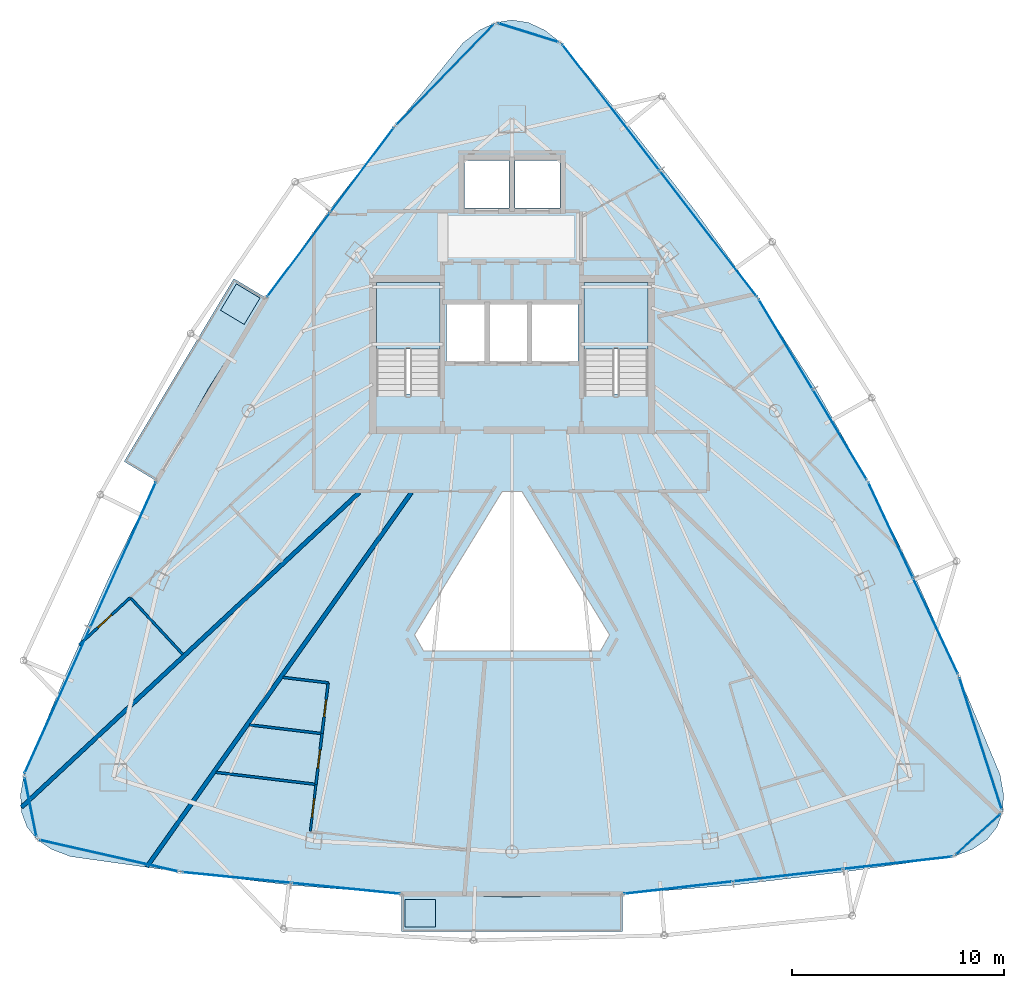
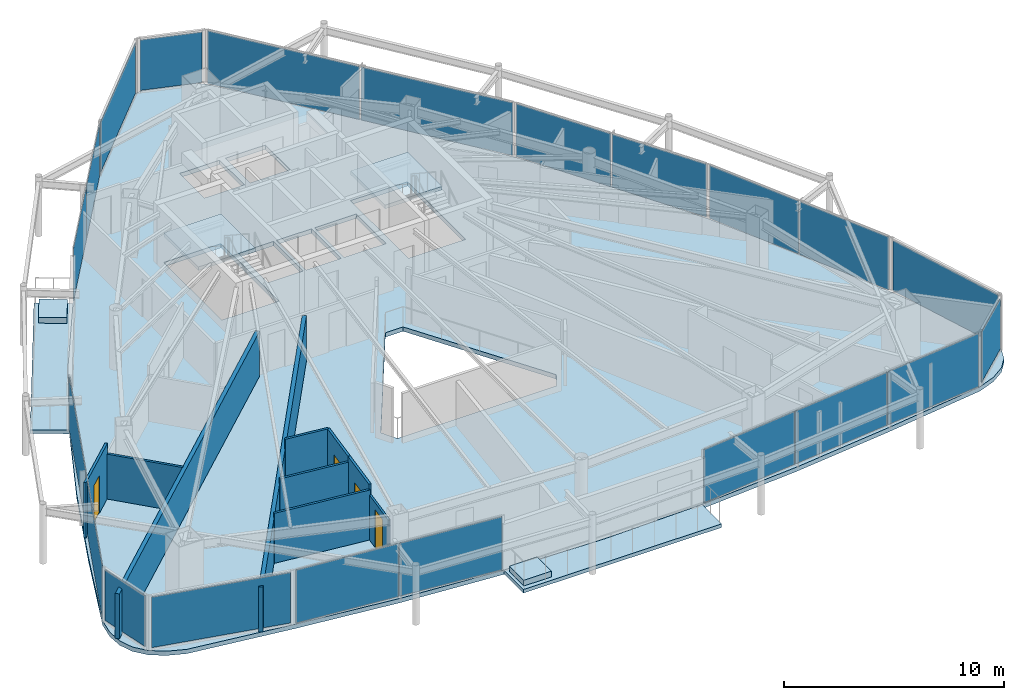
# One storey, part 26 of 32: 21 plates, 10 walls, 7 slabs, 4 doors, 4 openings, 15 elements without a shape of their own.
"""IFC4 building model written with IfcOpenShell, lengths in metres."""

from ifc_helpers import new_model, si_unit, direction, frame, frame_2d, origin, origin_2d, place, context, subcontext, project, spatial, polyline, rectangle, outline, extrude, material, layer, layer_set, type_object, element, fill, aggregate, save


model = new_model("IFC4")

# Units and contexts
model_context = context("Model", 3, precision=1e-05, world=origin(), true_north=direction((0.0, 1.0)))
body_context = subcontext(model_context, "Body", "Model", "MODEL_VIEW")
ifc_project = project(units=[si_unit("LENGTHUNIT", "METRE"), si_unit("AREAUNIT", "SQUARE_METRE"), si_unit("VOLUMEUNIT", "CUBIC_METRE"), si_unit("PLANEANGLEUNIT", "RADIAN"), si_unit("MASSUNIT", "GRAM", prefix="KILO")], contexts=[model_context])

# Site, building, storey
site_placement = place(None, origin())
site = spatial("IfcSite", under=ifc_project, at=site_placement, CompositionType="ELEMENT")
building_placement = place(site_placement, origin())
building = spatial("IfcBuilding", under=site, at=building_placement, Name="Orvanel Arch Residences", CompositionType="ELEMENT")
storey_placement = place(building_placement, frame((0.0, 0.0, 219.5)))
storey = spatial("IfcBuildingStorey", under=building, at=storey_placement, Name="L62", CompositionType="ELEMENT", Elevation=219.5)

# Curtain wall, plates
ifc_material_1 = material(Name="Bronze-anodised aluminium AA6063-T6", Category="aluminium")
ifc_layer_1 = layer(ifc_material_1, 0.175048828125)
ifc_layer_set_1 = layer_set([ifc_layer_1], Name="Bronze-anodised aluminium AA6063-T6")
curtain_wall_type_1 = type_object("IfcCurtainWallType", Name="CW4-HI-SYS", PredefinedType="NOTDEFINED", material=ifc_layer_set_1)
curtain_wall_1_placement = place(storey_placement, origin())
curtain_wall_1 = element("IfcCurtainWall", 1, at=curtain_wall_1_placement, inside=storey, type_object=curtain_wall_type_1, Name="L62 CW4-HI-SYS Unitised Curtain Wall", PredefinedType="NOTDEFINED")
ifc_material_2 = material(Name="Double-glazed solar-control low-E safety glass", Category="glass")
ifc_layer_2 = layer(ifc_material_2, 0.028076171875)
ifc_layer_set_2 = layer_set([ifc_layer_2], Name="Double-glazed solar-control low-E safety glass")
plate_type_1 = type_object("IfcPlateType", Name="PNL-GLZ-28", PredefinedType="CURTAIN_PANEL", material=ifc_layer_set_2)
plate_1_placement = place(storey_placement, frame((25.9365234375, 39.006103515625, 0.06005859375), z_axis=(0.0, 0.0, 1.0), x_axis=(-0.599364196559, -0.800476458044, 0.0)))
plate_1 = element("IfcPlate", 2, at=plate_1_placement, type_object=plate_type_1, Name="CW-S4 panel 1.1", PredefinedType="CURTAIN_PANEL", context=body_context, shape_type="SweptSolid", body=[
    extrude(rectangle(XDim=4.93701171875, YDim=0.028076171875, at=origin_2d()), origin(), (0.0, 0.0, 1.0), 2.93994140625),
])
plate_2_placement = place(storey_placement, frame((22.9384765625, 35.001953125, 0.06005859375), z_axis=(0.0, 0.0, 1.0), x_axis=(-0.599364196559, -0.800476458044, 0.0)))
plate_2 = element("IfcPlate", 3, at=plate_2_placement, type_object=plate_type_1, Name="CW-S4 panel 2.1", PredefinedType="CURTAIN_PANEL", context=body_context, shape_type="SweptSolid", body=[
    extrude(rectangle(XDim=4.93701171875, YDim=0.028076171875, at=origin_2d()), origin(), (0.0, 0.0, 1.0), 2.93994140625),
])
aggregate(curtain_wall_1, [plate_1, plate_2])

curtain_wall_2_placement = place(storey_placement, origin())
curtain_wall_2 = element("IfcCurtainWall", 4, at=curtain_wall_2_placement, inside=storey, type_object=curtain_wall_type_1, Name="L62 CW4-HI-SYS Unitised Curtain Wall", PredefinedType="NOTDEFINED")
plate_3_placement = place(storey_placement, frame((14.66259765625, 20.849365234375, 0.06005859375), z_axis=(0.0, 0.0, 1.0), x_axis=(-0.411344383709, -0.911480004164, 0.0)))
plate_3 = element("IfcPlate", 5, at=plate_3_placement, type_object=plate_type_1, Name="CW-S4 panel 1.1", PredefinedType="CURTAIN_PANEL", context=body_context, shape_type="SweptSolid", body=[
    extrude(rectangle(XDim=7.4765625, YDim=0.028076171875, at=origin_2d()), origin(), (0.0, 0.0, 1.0), 2.93994140625),
])
plate_4_placement = place(storey_placement, frame((11.560546875, 13.9755859375, 0.06005859375), z_axis=(0.0, 0.0, 1.0), x_axis=(-0.411344383709, -0.911480004164, 0.0)))
plate_4 = element("IfcPlate", 6, at=plate_4_placement, type_object=plate_type_1, Name="CW-S4 panel 2.1", PredefinedType="CURTAIN_PANEL", context=body_context, shape_type="SweptSolid", body=[
    extrude(rectangle(XDim=7.4765625, YDim=0.028076171875, at=origin_2d()), origin(), (0.0, 0.0, 1.0), 2.93994140625),
])
aggregate(curtain_wall_2, [plate_3, plate_4])

curtain_wall_3_placement = place(storey_placement, origin())
curtain_wall_3 = element("IfcCurtainWall", 7, at=curtain_wall_3_placement, inside=storey, type_object=curtain_wall_type_1, Name="L62 CW4-HI-SYS Unitised Curtain Wall", PredefinedType="NOTDEFINED")
plate_5_placement = place(storey_placement, frame((20.0126953125, 5.6318359375, 0.06005859375), z_axis=(0.0, 0.0, 1.0), x_axis=(0.995103474765, -0.098838628636, 0.0)))
plate_5 = element("IfcPlate", 8, at=plate_5_placement, type_object=plate_type_1, Name="CW-S4 panel 1.1", PredefinedType="CURTAIN_PANEL", context=body_context, shape_type="SweptSolid", body=[
    extrude(rectangle(XDim=5.113037109375, YDim=0.028076171875, at=origin_2d()), origin(), (0.0, 0.0, 1.0), 2.93994140625),
])
plate_6_placement = place(storey_placement, frame((25.165283203125, 5.1201171875, 0.06005859375), z_axis=(0.0, 0.0, 1.0), x_axis=(0.995103474765, -0.098838628636, 0.0)))
plate_6 = element("IfcPlate", 9, at=plate_6_placement, type_object=plate_type_1, Name="CW-S4 panel 2.1", PredefinedType="CURTAIN_PANEL", context=body_context, shape_type="SweptSolid", body=[
    extrude(rectangle(XDim=5.113037109375, YDim=0.028076171875, at=origin_2d()), origin(), (0.0, 0.0, 1.0), 2.93994140625),
])
aggregate(curtain_wall_3, [plate_5, plate_6])

curtain_wall_4_placement = place(storey_placement, origin())
curtain_wall_4 = element("IfcCurtainWall", 10, at=curtain_wall_4_placement, inside=storey, type_object=curtain_wall_type_1, Name="L62 CW4-HI-SYS Unitised Curtain Wall", PredefinedType="NOTDEFINED")
plate_7_placement = place(storey_placement, frame((40.838134765625, 5.15625, 0.06005859375), z_axis=(0.0, 0.0, 1.0), x_axis=(0.993676625705, 0.112279844711, 0.0)))
plate_7 = element("IfcPlate", 11, at=plate_7_placement, type_object=plate_type_1, Name="CW-S4 panel 1.1", PredefinedType="CURTAIN_PANEL", context=body_context, shape_type="SweptSolid", body=[
    extrude(rectangle(XDim=5.12744140625, YDim=0.028076171875, at=origin_2d()), origin(), (0.0, 0.0, 1.0), 2.93994140625),
])
plate_8_placement = place(storey_placement, frame((46.013916015625, 5.740966796875, 0.06005859375), z_axis=(0.0, 0.0, 1.0), x_axis=(0.993676625705, 0.112279844711, 0.0)))
plate_8 = element("IfcPlate", 12, at=plate_8_placement, type_object=plate_type_1, Name="CW-S4 panel 2.1", PredefinedType="CURTAIN_PANEL", context=body_context, shape_type="SweptSolid", body=[
    extrude(rectangle(XDim=5.16015625, YDim=0.028076171875, at=origin_2d()), origin(), (0.0, 0.0, 1.0), 2.93994140625),
])
plate_9_placement = place(storey_placement, frame((51.18994140625, 6.325927734375, 0.06005859375), z_axis=(0.0, 0.0, 1.0), x_axis=(0.993676625705, 0.112279844711, 0.0)))
plate_9 = element("IfcPlate", 13, at=plate_9_placement, type_object=plate_type_1, Name="CW-S4 panel 3.1", PredefinedType="CURTAIN_PANEL", context=body_context, shape_type="SweptSolid", body=[
    extrude(rectangle(XDim=5.12744140625, YDim=0.028076171875, at=origin_2d()), origin(), (0.0, 0.0, 1.0), 2.93994140625),
])
aggregate(curtain_wall_4, [plate_7, plate_8, plate_9])

curtain_wall_5_placement = place(storey_placement, origin())
curtain_wall_5 = element("IfcCurtainWall", 14, at=curtain_wall_5_placement, inside=storey, type_object=curtain_wall_type_1, Name="L62 CW4-HI-SYS Unitised Curtain Wall", PredefinedType="NOTDEFINED")
plate_10_placement = place(storey_placement, frame((52.96923828125, 17.49072265625, 0.06005859375), z_axis=(0.0, 0.0, 1.0), x_axis=(-0.424108203626, 0.905611523567, 0.0)))
plate_10 = element("IfcPlate", 15, at=plate_10_placement, type_object=plate_type_1, Name="CW-S4 panel 1.1", PredefinedType="CURTAIN_PANEL", context=body_context, shape_type="SweptSolid", body=[
    extrude(rectangle(XDim=4.937744140625, YDim=0.028076171875, at=origin_2d()), origin(), (0.0, 0.0, 1.0), 2.93994140625),
])
plate_11_placement = place(storey_placement, frame((50.84765625, 22.021240234375, 0.06005859375), z_axis=(0.0, 0.0, 1.0), x_axis=(-0.424108203626, 0.905611523567, 0.0)))
plate_11 = element("IfcPlate", 16, at=plate_11_placement, type_object=plate_type_1, Name="CW-S4 panel 2.1", PredefinedType="CURTAIN_PANEL", context=body_context, shape_type="SweptSolid", body=[
    extrude(rectangle(XDim=4.937744140625, YDim=0.028076171875, at=origin_2d()), origin(), (0.0, 0.0, 1.0), 2.93994140625),
])
aggregate(curtain_wall_5, [plate_10, plate_11])

curtain_wall_6_placement = place(storey_placement, origin())
curtain_wall_6 = element("IfcCurtainWall", 17, at=curtain_wall_6_placement, inside=storey, type_object=curtain_wall_type_1, Name="L62 CW4-HI-SYS Unitised Curtain Wall", PredefinedType="NOTDEFINED")
plate_12_placement = place(storey_placement, frame((48.45849609375, 26.512451171875, 0.06005859375), z_axis=(0.0, 0.0, 1.0), x_axis=(-0.514422349359, 0.857536965081, 0.0)))
plate_12 = element("IfcPlate", 18, at=plate_12_placement, type_object=plate_type_1, Name="CW-S4 panel 1.1", PredefinedType="CURTAIN_PANEL", context=body_context, shape_type="SweptSolid", body=[
    extrude(rectangle(XDim=4.9111328125, YDim=0.028076171875, at=origin_2d()), origin(), (0.0, 0.0, 1.0), 2.93994140625),
])
plate_13_placement = place(storey_placement, frame((45.898681640625, 30.779541015625, 0.06005859375), z_axis=(0.0, 0.0, 1.0), x_axis=(-0.514422349359, 0.857536965081, 0.0)))
plate_13 = element("IfcPlate", 19, at=plate_13_placement, type_object=plate_type_1, Name="CW-S4 panel 2.1", PredefinedType="CURTAIN_PANEL", context=body_context, shape_type="SweptSolid", body=[
    extrude(rectangle(XDim=4.9111328125, YDim=0.028076171875, at=origin_2d()), origin(), (0.0, 0.0, 1.0), 2.93994140625),
])
aggregate(curtain_wall_6, [plate_12, plate_13])

curtain_wall_7_placement = place(storey_placement, origin())
curtain_wall_7 = element("IfcCurtainWall", 20, at=curtain_wall_7_placement, inside=storey, type_object=curtain_wall_type_1, Name="L62 CW4-HI-SYS Unitised Curtain Wall", PredefinedType="NOTDEFINED")
plate_14_placement = place(storey_placement, frame((42.258056640625, 35.98583984375, 0.06005859375), z_axis=(0.0, 0.0, 1.0), x_axis=(-0.610552723467, 0.791975613177, 0.0)))
plate_14 = element("IfcPlate", 21, at=plate_14_placement, type_object=plate_type_1, Name="CW-S4 panel 1.1", PredefinedType="CURTAIN_PANEL", context=body_context, shape_type="SweptSolid", body=[
    extrude(rectangle(XDim=7.47607421875, YDim=0.028076171875, at=origin_2d()), origin(), (0.0, 0.0, 1.0), 2.93994140625),
])
plate_15_placement = place(storey_placement, frame((37.65380859375, 41.958251953125, 0.06005859375), z_axis=(0.0, 0.0, 1.0), x_axis=(-0.610552723467, 0.791975613177, 0.0)))
plate_15 = element("IfcPlate", 22, at=plate_15_placement, type_object=plate_type_1, Name="CW-S4 panel 2.1", PredefinedType="CURTAIN_PANEL", context=body_context, shape_type="SweptSolid", body=[
    extrude(rectangle(XDim=7.47607421875, YDim=0.028076171875, at=origin_2d()), origin(), (0.0, 0.0, 1.0), 2.93994140625),
])
aggregate(curtain_wall_7, [plate_14, plate_15])

# Curtain wall, plate
ifc_layer_3 = layer(ifc_material_1, 0.18994140625)
ifc_layer_set_3 = layer_set([ifc_layer_3], Name="Bronze-anodised aluminium AA6063-T6")
curtain_wall_type_2 = type_object("IfcCurtainWallType", Name="CW5-CRN-SYS", PredefinedType="NOTDEFINED", material=ifc_layer_set_3)
curtain_wall_8_placement = place(storey_placement, origin())
curtain_wall_8 = element("IfcCurtainWall", 23, at=curtain_wall_8_placement, inside=storey, type_object=curtain_wall_type_2, Name="L62 CW5-CRN-SYS Unitised Curtain Wall", PredefinedType="NOTDEFINED")
ifc_layer_4 = layer(ifc_material_2, 0.031982421875)
ifc_layer_set_4 = layer_set([ifc_layer_4], Name="Double-glazed solar-control low-E safety glass")
plate_type_2 = type_object("IfcPlateType", Name="PNL-GLZ-32", PredefinedType="CURTAIN_PANEL", material=ifc_layer_set_4)
plate_16_placement = place(storey_placement, frame((33.7734375, 45.467529296875, 0.1298828125), z_axis=(0.0, 0.0, 1.0), x_axis=(-0.954807511181, 0.297224858639, 0.0)))
plate_16 = element("IfcPlate", 24, at=plate_16_placement, type_object=plate_type_2, Name="CW-S5 panel 1.1", PredefinedType="CURTAIN_PANEL", context=body_context, shape_type="SweptSolid", body=[
    extrude(rectangle(XDim=2.899658203125, YDim=0.031982421875, at=origin_2d()), origin(), (0.0, 0.0, 1.0), 2.800048828125),
])
aggregate(curtain_wall_8, [plate_16])

curtain_wall_9_placement = place(storey_placement, origin())
curtain_wall_9 = element("IfcCurtainWall", 25, at=curtain_wall_9_placement, inside=storey, type_object=curtain_wall_type_2, Name="L62 CW5-CRN-SYS Unitised Curtain Wall", PredefinedType="NOTDEFINED")
plate_17_placement = place(storey_placement, frame((29.846923828125, 43.49951171875, 0.1298828125), z_axis=(0.0, 0.0, 1.0), x_axis=(-0.696798671558, -0.717266764401, 0.0)))
plate_17 = element("IfcPlate", 26, at=plate_17_placement, type_object=plate_type_2, Name="CW-S5 panel 1.1", PredefinedType="CURTAIN_PANEL", context=body_context, shape_type="SweptSolid", body=[
    extrude(rectangle(XDim=6.490966796875, YDim=0.031982421875, at=origin_2d()), origin(), (0.0, 0.0, 1.0), 2.800048828125),
])
aggregate(curtain_wall_9, [plate_17])

curtain_wall_10_placement = place(storey_placement, origin())
curtain_wall_10 = element("IfcCurtainWall", 27, at=curtain_wall_10_placement, inside=storey, type_object=curtain_wall_type_2, Name="L62 CW5-CRN-SYS Unitised Curtain Wall", PredefinedType="NOTDEFINED")
plate_18_placement = place(storey_placement, frame((10.29296875, 8.9609375, 0.1298828125), z_axis=(0.0, 0.0, 1.0), x_axis=(0.195491601364, -0.980705375633, 0.0)))
plate_18 = element("IfcPlate", 28, at=plate_18_placement, type_object=plate_type_2, Name="CW-S5 panel 1.1", PredefinedType="CURTAIN_PANEL", context=body_context, shape_type="SweptSolid", body=[
    extrude(rectangle(XDim=2.779296875, YDim=0.031982421875, at=origin_2d()), origin(), (0.0, 0.0, 1.0), 2.800048828125),
])
aggregate(curtain_wall_10, [plate_18])

curtain_wall_11_placement = place(storey_placement, origin())
curtain_wall_11 = element("IfcCurtainWall", 29, at=curtain_wall_11_placement, inside=storey, type_object=curtain_wall_type_2, Name="L62 CW5-CRN-SYS Unitised Curtain Wall", PredefinedType="NOTDEFINED")
plate_19_placement = place(storey_placement, frame((13.990966796875, 6.662109375, 0.1298828125), z_axis=(0.0, 0.0, 1.0), x_axis=(0.975232163549, -0.221183695553, 0.0)))
plate_19 = element("IfcPlate", 30, at=plate_19_placement, type_object=plate_type_2, Name="CW-S5 panel 1.1", PredefinedType="CURTAIN_PANEL", context=body_context, shape_type="SweptSolid", body=[
    extrude(rectangle(XDim=6.617431640625, YDim=0.031982421875, at=origin_2d()), origin(), (0.0, 0.0, 1.0), 2.800048828125),
])
aggregate(curtain_wall_11, [plate_19])

curtain_wall_12_placement = place(storey_placement, origin())
curtain_wall_12 = element("IfcCurtainWall", 31, at=curtain_wall_12_placement, inside=storey, type_object=curtain_wall_type_2, Name="L62 CW5-CRN-SYS Unitised Curtain Wall", PredefinedType="NOTDEFINED")
plate_20_placement = place(storey_placement, frame((54.97705078125, 7.67138671875, 0.1298828125), z_axis=(0.0, 0.0, 1.0), x_axis=(0.740219127016, 0.672365707037, 0.0)))
plate_20 = element("IfcPlate", 32, at=plate_20_placement, type_object=plate_type_2, Name="CW-S5 panel 1.1", PredefinedType="CURTAIN_PANEL", context=body_context, shape_type="SweptSolid", body=[
    extrude(rectangle(XDim=2.7802734375, YDim=0.031982421875, at=origin_2d()), origin(), (0.0, 0.0, 1.0), 2.800048828125),
])
aggregate(curtain_wall_12, [plate_20])

curtain_wall_13_placement = place(storey_placement, origin())
curtain_wall_13 = element("IfcCurtainWall", 33, at=curtain_wall_13_placement, inside=storey, type_object=curtain_wall_type_2, Name="L62 CW5-CRN-SYS Unitised Curtain Wall", PredefinedType="NOTDEFINED")
plate_21_placement = place(storey_placement, frame((55.092041015625, 11.948974609375, 0.1298828125), z_axis=(0.0, 0.0, 1.0), x_axis=(-0.306604222357, 0.951837092592, 0.0)))
plate_21 = element("IfcPlate", 34, at=plate_21_placement, type_object=plate_type_2, Name="CW-S5 panel 1.1", PredefinedType="CURTAIN_PANEL", context=body_context, shape_type="SweptSolid", body=[
    extrude(rectangle(XDim=6.44482421875, YDim=0.031982421875, at=origin_2d()), origin(), (0.0, 0.0, 1.0), 2.800048828125),
])
aggregate(curtain_wall_13, [plate_21])

# Slabs
ifc_material_3 = material(Name="Concrete N40 (40 MPa)", Category="concrete")
ifc_layer_5 = layer(ifc_material_3, 0.199951171875)
ifc_layer_set_5 = layer_set([ifc_layer_5], Name="Concrete N40 (40 MPa)")
slab_type_1 = type_object("IfcSlabType", Name="SLB-BAL-200", PredefinedType="FLOOR", material=ifc_layer_set_5)
slab_1_placement = place(storey_placement, frame((0.0, 0.0, -0.199951171875)))
element("IfcSlab", 35, at=slab_1_placement, inside=storey, type_object=slab_type_1, Name="L62 Cantilevered Balcony Slab Face 1", PredefinedType="FLOOR", context=body_context, shape_type="SweptSolid", body=[
    extrude(outline(polyline([(19.882080078125, 33.873046875), (14.708984375, 25.2490234375), (16.235107421875, 24.333984375), (18.697021484375, 28.720947265625), (21.407958984375, 32.9580078125), (19.882080078125, 33.873046875)])), origin(), (0.0, 0.0, 1.0), 0.199951171875),
])
slab_2_placement = place(storey_placement, frame((0.0, 0.0, -0.199951171875)))
element("IfcSlab", 36, at=slab_2_placement, inside=storey, type_object=slab_type_1, Name="L62 Cantilevered Balcony Slab Face 2", PredefinedType="FLOOR", context=body_context, shape_type="SweptSolid", body=[
    extrude(outline(polyline([(27.7939453125, 3.0791015625), (38.2060546875, 3.0791015625), (38.2060546875, 4.85888671875), (33.0, 4.714111328125), (27.7939453125, 4.85888671875), (27.7939453125, 3.0791015625)])), origin(), (0.0, 0.0, 1.0), 0.199951171875),
])

# Stair, slab
ifc_material_4 = material(Name="Precast concrete N50 (50 MPa)", Category="concrete")
stair_type = type_object("IfcStairType", Name="STR-DOG-184", PredefinedType="USERDEFINED", material=ifc_material_4)
stair_1_placement = place(storey_placement, origin())
stair_1 = element("IfcStair", 37, at=stair_1_placement, inside=storey, type_object=stair_type, Name="L62 Fire-Isolated Core Exit Stair 1", ObjectType="TWO_RETURN_STAIR", PredefinedType="USERDEFINED")
ifc_layer_6 = layer(ifc_material_3, 0.199951171875)
ifc_layer_set_6 = layer_set([ifc_layer_6], Name="Concrete N40 (40 MPa)")
slab_type_2 = type_object("IfcSlabType", Name="SLB-LND-200", PredefinedType="LANDING", material=ifc_layer_set_6)
slab_3_placement = place(storey_placement, frame((0.0, 0.0, 1.449951171875)))
slab_3 = element("IfcSlab", 38, at=slab_3_placement, type_object=slab_type_2, Name="ST-1 landing 1", PredefinedType="LANDING", context=body_context, shape_type="SweptSolid", body=[
    extrude(outline(polyline([(29.60009765625, 30.56005859375), (29.60009765625, 33.699951171875), (26.60009765625, 33.699951171875), (26.60009765625, 30.56005859375), (29.60009765625, 30.56005859375)])), origin(), (0.0, 0.0, 1.0), 0.199951171875),
])
aggregate(stair_1, [slab_3])

stair_2_placement = place(storey_placement, origin())
stair_2 = element("IfcStair", 39, at=stair_2_placement, inside=storey, type_object=stair_type, Name="L62 Fire-Isolated Core Exit Stair 2", ObjectType="TWO_RETURN_STAIR", PredefinedType="USERDEFINED")
slab_4_placement = place(storey_placement, frame((0.0, 0.0, 1.449951171875)))
slab_4 = element("IfcSlab", 40, at=slab_4_placement, type_object=slab_type_2, Name="ST-2 landing 1", PredefinedType="LANDING", context=body_context, shape_type="SweptSolid", body=[
    extrude(outline(polyline([(39.39990234375, 30.56005859375), (39.39990234375, 33.699951171875), (36.39990234375, 33.699951171875), (36.39990234375, 30.56005859375), (39.39990234375, 30.56005859375)])), origin(), (0.0, 0.0, 1.0), 0.199951171875),
])
aggregate(stair_2, [slab_4])

# Slabs
ifc_material_5 = material(Name="Structural architectural precast concrete N40 (40 MPa) planter", Category="concrete")
ifc_layer_7 = layer(ifc_material_5, 0.320068359375)
ifc_layer_set_7 = layer_set([ifc_layer_7], Name="Structural architectural precast concrete N40 (40 MPa) planter")
slab_type_3 = type_object("IfcSlabType", Name="SLB-PLN-320", PredefinedType="USERDEFINED", material=ifc_layer_set_7)
slab_5_placement = place(storey_placement, origin())
element("IfcSlab", 41, at=slab_5_placement, inside=storey, type_object=slab_type_3, Name="L62 Balcony TREE PLANTER Face 1", ObjectType="PLANTER", PredefinedType="USERDEFINED", context=body_context, shape_type="SweptSolid", body=[
    extrude(outline(polyline([(20.001953125, 33.6259765625), (19.256103515625, 32.383056640625), (20.37109375, 31.714111328125), (21.116943359375, 32.9580078125), (20.001953125, 33.6259765625)])), origin(), (0.0, 0.0, 1.0), 0.320068359375),
])
slab_6_placement = place(storey_placement, origin())
element("IfcSlab", 42, at=slab_6_placement, inside=storey, type_object=slab_type_3, Name="L62 Balcony TREE PLANTER Face 2", ObjectType="PLANTER", PredefinedType="USERDEFINED", context=body_context, shape_type="SweptSolid", body=[
    extrude(outline(polyline([(27.944091796875, 3.30908203125), (29.39501953125, 3.30908203125), (29.39501953125, 4.60888671875), (27.944091796875, 4.60888671875), (27.944091796875, 3.30908203125)])), origin(), (0.0, 0.0, 1.0), 0.320068359375),
])
ifc_layer_8 = layer(ifc_material_3, 0.239990234375)
ifc_layer_set_8 = layer_set([ifc_layer_8], Name="Concrete N40 (40 MPa)")
slab_type_4 = type_object("IfcSlabType", Name="SLB-TYP-240", PredefinedType="FLOOR", material=ifc_layer_set_8)
slab_7_placement = place(storey_placement, frame((0.0, 0.0, -0.239990234375)))
element("IfcSlab", 43, at=slab_7_placement, inside=storey, type_object=slab_type_4, Name="L62 Tower Floor Slab", PredefinedType="FLOOR", context=body_context, shape_type="SweptSolid", body=[
    extrude(outline(polyline([(35.320068359375, 44.986083984375), (34.5458984375, 45.587890625), (33.77294921875, 45.948974609375), (33.0, 46.069091796875), (32.22705078125, 45.948974609375), (31.4541015625, 45.587890625), (30.679931640625, 44.986083984375), (27.467041015625, 41.050048828125), (24.35009765625, 37.056884765625), (21.407958984375, 32.9580078125), (18.697021484375, 28.720947265625), (16.235107421875, 24.333984375), (14.00390625, 19.80908203125), (11.947998046875, 15.177978515625), (9.988037109375, 10.490966796875), (9.822021484375, 9.544921875), (9.867919921875, 8.719970703125), (10.126953125, 8.01611328125), (10.597900390625, 7.430908203125), (11.281982421875, 6.967041015625), (12.177978515625, 6.623046875), (17.384033203125, 5.89306640625), (22.589111328125, 5.27294921875), (27.7939453125, 4.85888671875), (33.0, 4.714111328125), (38.2060546875, 4.85888671875), (43.410888671875, 5.27294921875), (48.615966796875, 5.89306640625), (53.822021484375, 6.623046875), (54.718017578125, 6.967041015625), (55.402099609375, 7.430908203125), (55.873046875, 8.01611328125), (56.132080078125, 8.719970703125), (56.177978515625, 9.544921875), (56.011962890625, 10.490966796875), (54.052001953125, 15.177978515625), (51.99609375, 19.80908203125), (49.764892578125, 24.333984375), (47.302978515625, 28.720947265625), (44.592041015625, 32.9580078125), (41.64990234375, 37.056884765625), (38.532958984375, 41.050048828125), (35.320068359375, 44.986083984375)]), holes=[polyline([(26.60009765625, 28.429931640625), (26.60009765625, 33.699951171875), (29.60009765625, 33.699951171875), (29.60009765625, 28.429931640625), (26.60009765625, 28.429931640625)]), polyline([(36.39990234375, 28.429931640625), (36.39990234375, 33.699951171875), (39.39990234375, 33.699951171875), (39.39990234375, 28.429931640625), (36.39990234375, 28.429931640625)]), polyline([(29.89990234375, 32.64990234375), (31.75, 32.64990234375), (31.75, 29.949951171875), (29.89990234375, 29.949951171875), (29.89990234375, 32.64990234375)]), polyline([(31.89990234375, 32.64990234375), (33.75, 32.64990234375), (33.75, 29.949951171875), (31.89990234375, 29.949951171875), (31.89990234375, 32.64990234375)]), polyline([(33.89990234375, 32.64990234375), (36.10009765625, 32.64990234375), (36.10009765625, 29.949951171875), (33.89990234375, 29.949951171875), (33.89990234375, 32.64990234375)]), polyline([(30.75, 39.449951171875), (32.85009765625, 39.449951171875), (32.85009765625, 37.199951171875), (30.75, 37.199951171875), (30.75, 39.449951171875)]), polyline([(33.14990234375, 39.449951171875), (35.25, 39.449951171875), (35.25, 37.199951171875), (33.14990234375, 37.199951171875), (33.14990234375, 39.449951171875)]), polyline([(37.60009765625, 17.074951171875), (37.172119140625, 16.31201171875), (28.827880859375, 16.31201171875), (28.39990234375, 17.074951171875), (32.533935546875, 23.8369140625), (33.466064453125, 23.8369140625), (37.60009765625, 17.074951171875)])]), origin(), (0.0, 0.0, 1.0), 0.239990234375),
])

# Walls
ifc_material_6 = material(Name="Fire-rated plasterboard lined steel stud partition", Category="steel")
ifc_layer_9 = layer(ifc_material_6, 0.199951171875)
ifc_layer_set_9 = layer_set([ifc_layer_9], Name="Fire-rated plasterboard lined steel stud partition")
wall_type_1 = type_object("IfcWallType", Name="W-DEM-200", PredefinedType="PARTITIONING", material=ifc_layer_set_9)
wall_1_placement = place(storey_placement, frame((15.77587890625, 6.132080078125, 0.0), z_axis=(0.0, 0.0, 1.0), x_axis=(0.577200381612, 0.816602546816, 0.0)))
element("IfcWall", 44, at=wall_1_placement, inside=storey, type_object=wall_type_1, Name="L62 Inter-Tenancy Acoustic Demising Wall", PredefinedType="PARTITIONING", context=body_context, shape_type="SweptSolid", body=[
    extrude(rectangle(XDim=21.623779296875, YDim=0.199951171875, at=frame_2d((10.81201171875, 0.0))), origin(), (0.0, 0.0, 1.0), 2.491943359375),
])
wall_2_placement = place(storey_placement, frame((25.799072265625, 23.7900390625, 0.0), z_axis=(0.0, 0.0, 1.0), x_axis=(-0.731584830333, -0.681750420629, 0.0)))
element("IfcWall", 45, at=wall_2_placement, inside=storey, type_object=wall_type_1, Name="L62 Inter-Tenancy Acoustic Demising Wall", PredefinedType="PARTITIONING", context=body_context, shape_type="SweptSolid", body=[
    extrude(rectangle(XDim=21.776123046875, YDim=0.199951171875, at=frame_2d((10.88818359375, 0.0))), origin(), (0.0, 0.0, 1.0), 2.491943359375),
])

# Wall, opening, door
ifc_material_7 = material(Name="Acoustic plasterboard lined twin-stud partition", Category="gypsum")
ifc_layer_10 = layer(ifc_material_7, 0.10009765625)
ifc_layer_set_10 = layer_set([ifc_layer_10], Name="Acoustic plasterboard lined twin-stud partition")
wall_type_2 = type_object("IfcWallType", Name="W-INT-100", PredefinedType="PARTITIONING", material=ifc_layer_set_10)
wall_3_placement = place(storey_placement, frame((23.489013671875, 7.81689453125, 0.0), z_axis=(0.0, 0.0, 1.0), x_axis=(0.119063005136, 0.992886700892, 0.0)))
wall_3 = element("IfcWall", 46, at=wall_3_placement, inside=storey, type_object=wall_type_2, Name="L62 Studio A Internal Partition", PredefinedType="PARTITIONING", context=body_context, shape_type="SweptSolid", body=[
    extrude(rectangle(XDim=2.224853515625, YDim=0.10009765625, at=frame_2d((1.1123046875, 0.0))), origin(), (0.0, 0.0, 1.0), 2.491943359375),
])
opening_1_placement = place(wall_3_placement, frame((0.672119140625, 0.0, 0.0)))
opening_1 = element("IfcOpeningElement", 47, at=opening_1_placement, cuts=wall_3, Name="Opening DI-088", PredefinedType="OPENING", context=body_context, shape_type="SweptSolid", body=[
    extrude(rectangle(XDim=0.8798828125, YDim=2.10009765625, at=frame_2d((0.43994140625, 1.050048828125))), frame((0.0, 0.06005859375, 0.0), z_axis=(0.0, -1.0, 0.0), x_axis=(1.0, 0.0, 0.0)), (0.0, 0.0, 1.0), 0.1201171875),
])
ifc_material_8 = material(Name="Solid-core European oak veneer fire door leaf", Category="wood")
door_type_1 = type_object("IfcDoorType", Name="DR-INT-880", OperationType="NOTDEFINED", PredefinedType="DOOR", material=ifc_material_8)
door_1_placement = place(opening_1_placement, origin())
door_1 = element("IfcDoor", 48, at=door_1_placement, inside=storey, type_object=door_type_1, Name="DR-L62-A-OFC2 L62 Studio A Home Work Office 2 Door", OperationType="SINGLE_SWING_LEFT", OverallHeight=2.10009765625, OverallWidth=0.8798828125, PredefinedType="DOOR", context=body_context, shape_type="SweptSolid", body=[
    extrude(rectangle(XDim=0.8798828125, YDim=2.10009765625, at=frame_2d((0.43994140625, 1.050048828125))), frame((0.0, 0.02490234375, 0.0), z_axis=(0.0, -1.0, 0.0), x_axis=(1.0, 0.0, 0.0)), (0.0, 0.0, 1.0), 0.050048828125),
])
fill(opening_1, door_1)

ifc_layer_11 = layer(ifc_material_7, 0.1201171875)
ifc_layer_set_11 = layer_set([ifc_layer_11], Name="Acoustic plasterboard lined twin-stud partition")
wall_type_3 = type_object("IfcWallType", Name="W-WET-120", PredefinedType="PARTITIONING", material=ifc_layer_set_11)
wall_4_placement = place(storey_placement, frame((24.0419921875, 12.419921875, 0.0), z_axis=(0.0, 0.0, 1.0), x_axis=(0.119823599825, 0.992795197876, 0.0)))
wall_4 = element("IfcWall", 49, at=wall_4_placement, inside=storey, type_object=wall_type_3, Name="L62 Studio A Bathroom Partition", PredefinedType="PARTITIONING", context=body_context, shape_type="SweptSolid", body=[
    extrude(rectangle(XDim=2.412353515625, YDim=0.1201171875, at=frame_2d((1.2060546875, 0.0))), origin(), (0.0, 0.0, 1.0), 3.06005859375),
])
opening_2_placement = place(wall_4_placement, frame((0.7958984375, 0.0, 0.0)))
opening_2 = element("IfcOpeningElement", 50, at=opening_2_placement, cuts=wall_4, Name="Opening DW-082", PredefinedType="OPENING", context=body_context, shape_type="SweptSolid", body=[
    extrude(rectangle(XDim=0.820068359375, YDim=2.10009765625, at=frame_2d((0.41015625, 1.050048828125))), frame((0.0, 0.070068359375, 0.0), z_axis=(0.0, -1.0, 0.0), x_axis=(1.0, 0.0, 0.0)), (0.0, 0.0, 1.0), 0.14013671875),
])
door_type_2 = type_object("IfcDoorType", Name="DR-WET-820", OperationType="NOTDEFINED", PredefinedType="DOOR", material=ifc_material_8)
door_2_placement = place(opening_2_placement, origin())
door_2 = element("IfcDoor", 51, at=door_2_placement, inside=storey, type_object=door_type_2, Name="DR-L62-A-BATH L62 Studio A Bathroom Door", OperationType="SINGLE_SWING_RIGHT", OverallHeight=2.10009765625, OverallWidth=0.820068359375, PredefinedType="DOOR", context=body_context, shape_type="SweptSolid", body=[
    extrude(rectangle(XDim=0.820068359375, YDim=2.10009765625, at=frame_2d((0.41015625, 1.050048828125))), frame((0.0, 0.02490234375, 0.0), z_axis=(0.0, -1.0, 0.0), x_axis=(1.0, 0.0, 0.0)), (0.0, 0.0, 1.0), 0.050048828125),
])
fill(opening_2, door_2)

# Wall
wall_5_placement = place(storey_placement, frame((24.3310546875, 14.81494140625, 0.0), z_axis=(0.0, 0.0, 1.0), x_axis=(-0.992808897326, 0.119710038805, 0.0)))
element("IfcWall", 52, at=wall_5_placement, inside=storey, type_object=wall_type_3, Name="L62 Studio A Bathroom Partition", PredefinedType="PARTITIONING", context=body_context, shape_type="SweptSolid", body=[
    extrude(rectangle(XDim=2.1474609375, YDim=0.1201171875, at=frame_2d((1.07373046875, 0.0))), origin(), (0.0, 0.0, 1.0), 3.06005859375),
])

# Wall, opening, door
wall_6_placement = place(storey_placement, frame((23.75390625, 10.02587890625, 0.0), z_axis=(0.0, 0.0, 1.0), x_axis=(0.119472593193, 0.992837499028, 0.0)))
wall_6 = element("IfcWall", 53, at=wall_6_placement, inside=storey, type_object=wall_type_3, Name="L62 Studio A Internal Partition", PredefinedType="PARTITIONING", context=body_context, shape_type="SweptSolid", body=[
    extrude(rectangle(XDim=2.411376953125, YDim=0.1201171875, at=frame_2d((1.20556640625, 0.0))), origin(), (0.0, 0.0, 1.0), 3.06005859375),
])
opening_3_placement = place(wall_6_placement, frame((0.76611328125, 0.0, 0.0)))
opening_3 = element("IfcOpeningElement", 54, at=opening_3_placement, cuts=wall_6, Name="Opening DI-088", PredefinedType="OPENING", context=body_context, shape_type="SweptSolid", body=[
    extrude(rectangle(XDim=0.8798828125, YDim=2.10009765625, at=frame_2d((0.43994140625, 1.050048828125))), frame((0.0, 0.070068359375, 0.0), z_axis=(0.0, -1.0, 0.0), x_axis=(1.0, 0.0, 0.0)), (0.0, 0.0, 1.0), 0.14013671875),
])
door_3_placement = place(opening_3_placement, origin())
door_3 = element("IfcDoor", 55, at=door_3_placement, inside=storey, type_object=door_type_1, Name="DR-L62-A-KIT L62 Studio A Kitchenette Door", OperationType="SINGLE_SWING_LEFT", OverallHeight=2.10009765625, OverallWidth=0.8798828125, PredefinedType="DOOR", context=body_context, shape_type="SweptSolid", body=[
    extrude(rectangle(XDim=0.8798828125, YDim=2.10009765625, at=frame_2d((0.43994140625, 1.050048828125))), frame((0.0, 0.02490234375, 0.0), z_axis=(0.0, -1.0, 0.0), x_axis=(1.0, 0.0, 0.0)), (0.0, 0.0, 1.0), 0.050048828125),
])
fill(opening_3, door_3)

# Walls
wall_7_placement = place(storey_placement, frame((24.0419921875, 12.419921875, 0.0), z_axis=(0.0, 0.0, 1.0), x_axis=(-0.992809391247, 0.119705942421, 0.0)))
element("IfcWall", 56, at=wall_7_placement, inside=storey, type_object=wall_type_3, Name="L62 Studio A Bathroom Partition", PredefinedType="PARTITIONING", context=body_context, shape_type="SweptSolid", body=[
    extrude(rectangle(XDim=3.450927734375, YDim=0.1201171875, at=frame_2d((1.7255859375, 0.0))), origin(), (0.0, 0.0, 1.0), 2.77294921875),
])
wall_8_placement = place(storey_placement, frame((23.75390625, 10.02587890625, 0.0), z_axis=(0.0, 0.0, 1.0), x_axis=(-0.992834006213, 0.1195016155, 0.0)))
element("IfcWall", 57, at=wall_8_placement, inside=storey, type_object=wall_type_3, Name="L62 Studio A Internal Partition", PredefinedType="PARTITIONING", context=body_context, shape_type="SweptSolid", body=[
    extrude(rectangle(XDim=4.754150390625, YDim=0.1201171875, at=frame_2d((2.376953125, 0.0))), origin(), (0.0, 0.0, 1.0), 2.77294921875),
])

# Wall, opening, door
wall_9_placement = place(storey_placement, frame((14.998046875, 18.833984375, 0.0), z_axis=(0.0, 0.0, 1.0), x_axis=(-0.733840210512, -0.679322121998, 0.0)))
wall_9 = element("IfcWall", 58, at=wall_9_placement, inside=storey, type_object=wall_type_3, Name="L62 Studio D Internal Partition", PredefinedType="PARTITIONING", context=body_context, shape_type="SweptSolid", body=[
    extrude(rectangle(XDim=3.286865234375, YDim=0.1201171875, at=frame_2d((1.6435546875, 0.0))), origin(), (0.0, 0.0, 1.0), 3.06005859375),
])
opening_4_placement = place(wall_9_placement, frame((1.202880859375, 0.0, 0.0)))
opening_4 = element("IfcOpeningElement", 59, at=opening_4_placement, cuts=wall_9, Name="Opening DI-088", PredefinedType="OPENING", context=body_context, shape_type="SweptSolid", body=[
    extrude(rectangle(XDim=0.8798828125, YDim=2.10009765625, at=frame_2d((0.43994140625, 1.050048828125))), frame((0.0, 0.070068359375, 0.0), z_axis=(0.0, -1.0, 0.0), x_axis=(1.0, 0.0, 0.0)), (0.0, 0.0, 1.0), 0.14013671875),
])
door_4_placement = place(opening_4_placement, origin())
door_4 = element("IfcDoor", 60, at=door_4_placement, inside=storey, type_object=door_type_1, Name="DR-L62-D-KIT L62 Studio D Kitchenette Door", OperationType="SINGLE_SWING_LEFT", OverallHeight=2.10009765625, OverallWidth=0.8798828125, PredefinedType="DOOR", context=body_context, shape_type="SweptSolid", body=[
    extrude(rectangle(XDim=0.8798828125, YDim=2.10009765625, at=frame_2d((0.43994140625, 1.050048828125))), frame((0.0, 0.02490234375, 0.0), z_axis=(0.0, -1.0, 0.0), x_axis=(1.0, 0.0, 0.0)), (0.0, 0.0, 1.0), 0.050048828125),
])
fill(opening_4, door_4)

# Wall
wall_10_placement = place(storey_placement, frame((14.998046875, 18.833984375, 0.0), z_axis=(0.0, 0.0, 1.0), x_axis=(0.67920675179, -0.733946992856, 0.0)))
element("IfcWall", 61, at=wall_10_placement, inside=storey, type_object=wall_type_3, Name="L62 Studio D Internal Partition", PredefinedType="PARTITIONING", context=body_context, shape_type="SweptSolid", body=[
    extrude(rectangle(XDim=3.65283203125, YDim=0.1201171875, at=frame_2d((1.826416015625, 0.0))), origin(), (0.0, 0.0, 1.0), 2.491943359375),
])

save(model, "model.ifc")
